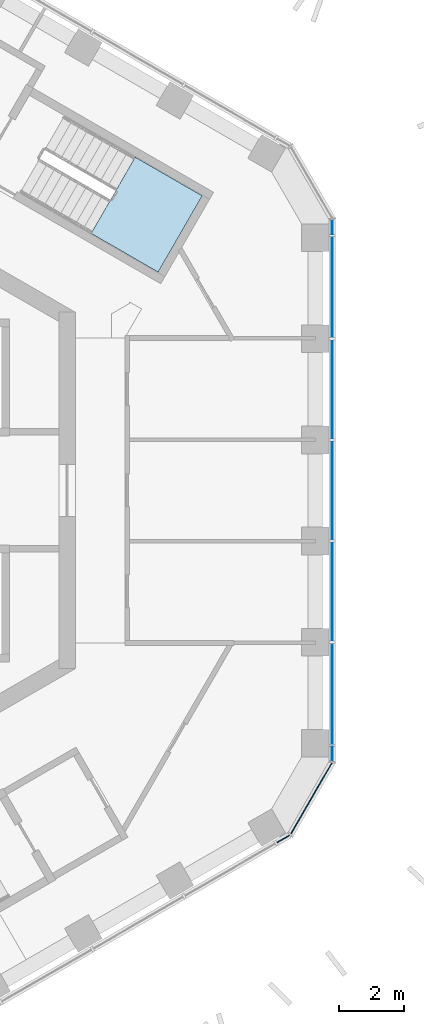
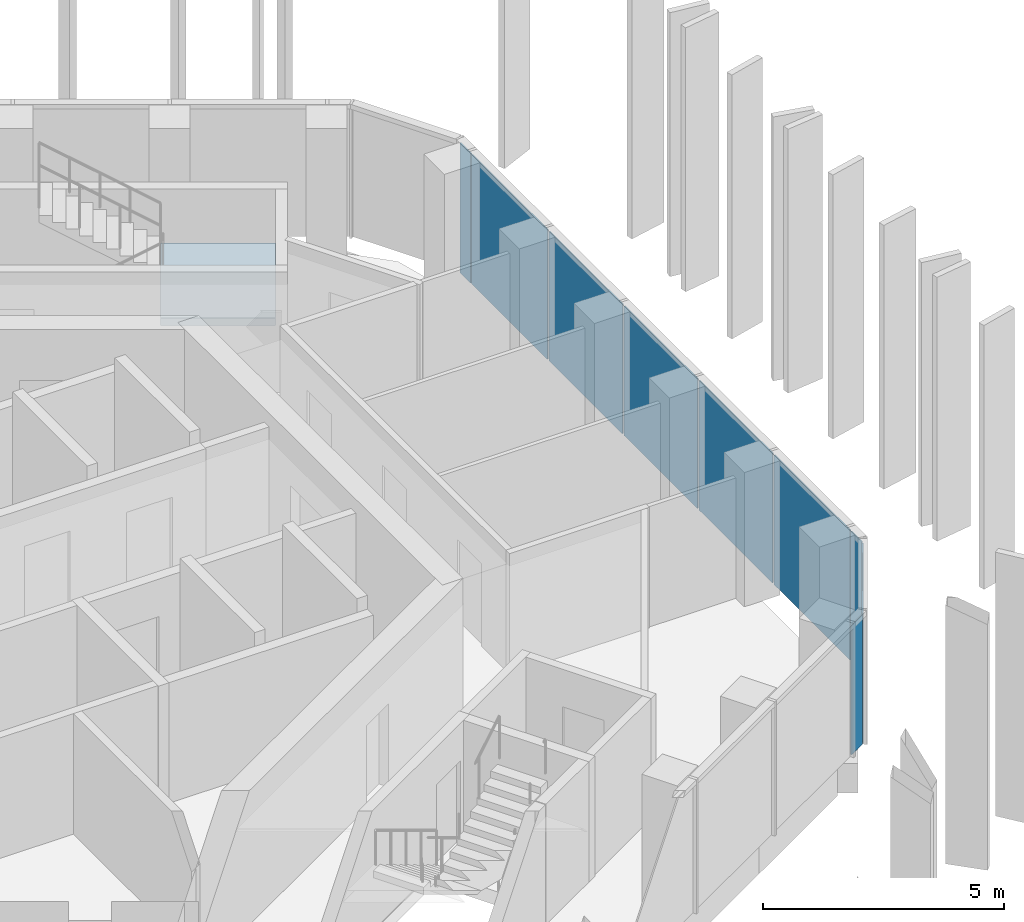
# One storey, part 10 of 18: 9 plates, 1 slab, 4 elements without a shape of their own.
"""IFC4 building model written with IfcOpenShell, lengths in metres."""

from ifc_helpers import new_model, si_unit, direction, frame, origin, origin_2d, place, context, subcontext, project, spatial, polyline, rectangle, outline, extrude, material, layer, layer_set, type_object, element, aggregate, save


model = new_model("IFC4")

# Units and contexts
model_context = context("Model", 3, precision=1e-05, world=origin(), true_north=direction((0.0, 1.0)))
body_context = subcontext(model_context, "Body", "Model", "MODEL_VIEW")
ifc_project = project(units=[si_unit("LENGTHUNIT", "METRE"), si_unit("AREAUNIT", "SQUARE_METRE"), si_unit("VOLUMEUNIT", "CUBIC_METRE"), si_unit("PLANEANGLEUNIT", "RADIAN"), si_unit("MASSUNIT", "GRAM", prefix="KILO")], contexts=[model_context])

# Site, building, storey
site_placement = place(None, origin())
site = spatial("IfcSite", under=ifc_project, at=site_placement, CompositionType="ELEMENT")
building_placement = place(site_placement, origin())
building = spatial("IfcBuilding", under=site, at=building_placement, Name="Ayvan Gate Tower", CompositionType="ELEMENT")
storey_placement = place(building_placement, frame((0.0, 0.0, 229.10009765625)))
storey = spatial("IfcBuildingStorey", under=building, at=storey_placement, Name="L61", CompositionType="ELEMENT", Elevation=229.10009765625)

# Stair, slab
ifc_material_1 = material(Name="Concrete C40/50", Category="concrete")
stair_type = type_object("IfcStairType", Name="ST-EXIT", PredefinedType="HALF_TURN_STAIR", material=ifc_material_1)
stair_placement = place(storey_placement, origin())
stair = element("IfcStair", 1, at=stair_placement, inside=storey, type_object=stair_type, Name="L61 Exit Stair S1", PredefinedType="HALF_TURN_STAIR")
ifc_layer_1 = layer(ifc_material_1, 0.199951171875)
ifc_layer_set_1 = layer_set([ifc_layer_1], Name="Concrete C40/50")
slab_type = type_object("IfcSlabType", Name="SL-LANDING-200", PredefinedType="LANDING", material=ifc_layer_set_1)
slab_placement = place(storey_placement, frame((0.0, 0.0, 1.5)))
slab = element("IfcSlab", 2, at=slab_placement, type_object=slab_type, Name="STS1 landing 1", PredefinedType="LANDING", context=body_context, shape_type="SweptSolid", body=[
    extrude(outline(polyline([(9.988525390625, 7.91064453125), (12.049560546875, 6.720458984375), (13.404541015625, 9.0673828125), (11.343505859375, 10.257568359375), (9.988525390625, 7.91064453125)])), origin(), (0.0, 0.0, 1.0), 0.199951171875),
])
aggregate(stair, [slab])

# Curtain wall, plates
ifc_material_2 = material(Name="Bronze anodised aluminium", Category="aluminium")
ifc_layer_2 = layer(ifc_material_2, 0.199951171875)
ifc_layer_set_2 = layer_set([ifc_layer_2], Name="Bronze anodised aluminium")
curtain_wall_type_1 = type_object("IfcCurtainWallType", Name="Stick curtain wall CW-2", PredefinedType="NOTDEFINED", material=ifc_layer_set_2)
curtain_wall_1_placement = place(storey_placement, origin())
curtain_wall_1 = element("IfcCurtainWall", 3, at=curtain_wall_1_placement, inside=storey, type_object=curtain_wall_type_1, Name="Stick curtain wall CW-2 L61", PredefinedType="NOTDEFINED")
ifc_material_3 = material(Name="Clear low-iron laminated glass", Category="glass")
ifc_layer_3 = layer(ifc_material_3, 0.028076171875)
ifc_layer_set_3 = layer_set([ifc_layer_3], Name="Clear low-iron laminated glass")
plate_type_1 = type_object("IfcPlateType", Name="Stick curtain wall CW-2 glass panel", PredefinedType="CURTAIN_PANEL", material=ifc_layer_set_3)
plate_1_placement = place(storey_placement, frame((17.41259765625, -6.27392578125, 0.0), z_axis=(0.0, 0.0, 1.0), x_axis=(0.0, 1.0, 0.0)))
plate_1 = element("IfcPlate", 4, at=plate_1_placement, type_object=plate_type_1, Name="CW-2 glass panel 1", PredefinedType="CURTAIN_PANEL", context=body_context, shape_type="SweptSolid", body=[
    extrude(rectangle(XDim=3.14501953125, YDim=0.028076171875, at=origin_2d()), origin(), (0.0, 0.0, 1.0), 3.280029296875),
])
plate_2_placement = place(storey_placement, frame((17.41259765625, -3.111083984375, 0.0), z_axis=(0.0, 0.0, 1.0), x_axis=(0.0, 1.0, 0.0)))
plate_2 = element("IfcPlate", 5, at=plate_2_placement, type_object=plate_type_1, Name="CW-2 glass panel 2", PredefinedType="CURTAIN_PANEL", context=body_context, shape_type="SweptSolid", body=[
    extrude(rectangle(XDim=3.041015625, YDim=0.028076171875, at=origin_2d()), origin(), (0.0, 0.0, 1.0), 3.280029296875),
])
plate_3_placement = place(storey_placement, frame((17.41259765625, 0.0, 0.0), z_axis=(0.0, 0.0, 1.0), x_axis=(0.0, 1.0, 0.0)))
plate_3 = element("IfcPlate", 6, at=plate_3_placement, type_object=plate_type_1, Name="CW-2 glass panel 3", PredefinedType="CURTAIN_PANEL", context=body_context, shape_type="SweptSolid", body=[
    extrude(rectangle(XDim=3.041015625, YDim=0.028076171875, at=origin_2d()), origin(), (0.0, 0.0, 1.0), 3.280029296875),
])
plate_4_placement = place(storey_placement, frame((17.41259765625, 3.111083984375, 0.0), z_axis=(0.0, 0.0, 1.0), x_axis=(0.0, 1.0, 0.0)))
plate_4 = element("IfcPlate", 7, at=plate_4_placement, type_object=plate_type_1, Name="CW-2 glass panel 4", PredefinedType="CURTAIN_PANEL", context=body_context, shape_type="SweptSolid", body=[
    extrude(rectangle(XDim=3.041015625, YDim=0.028076171875, at=origin_2d()), origin(), (0.0, 0.0, 1.0), 3.280029296875),
])
plate_5_placement = place(storey_placement, frame((17.41259765625, 6.27392578125, 0.0), z_axis=(0.0, 0.0, 1.0), x_axis=(0.0, 1.0, 0.0)))
plate_5 = element("IfcPlate", 8, at=plate_5_placement, type_object=plate_type_1, Name="CW-2 glass panel 5", PredefinedType="CURTAIN_PANEL", context=body_context, shape_type="SweptSolid", body=[
    extrude(rectangle(XDim=3.14501953125, YDim=0.028076171875, at=origin_2d()), origin(), (0.0, 0.0, 1.0), 3.280029296875),
])
aggregate(curtain_wall_1, [plate_1, plate_2, plate_3, plate_4, plate_5])

ifc_layer_4 = layer(ifc_material_2, 0.199951171875)
ifc_layer_set_4 = layer_set([ifc_layer_4], Name="Bronze anodised aluminium")
curtain_wall_type_2 = type_object("IfcCurtainWallType", Name="Stick curtain wall CW-6", PredefinedType="NOTDEFINED", material=ifc_layer_set_4)
curtain_wall_2_placement = place(storey_placement, origin())
curtain_wall_2 = element("IfcCurtainWall", 9, at=curtain_wall_2_placement, inside=storey, type_object=curtain_wall_type_2, Name="Stick curtain wall CW-6 L61", PredefinedType="NOTDEFINED")
ifc_layer_5 = layer(ifc_material_3, 0.028076171875)
ifc_layer_set_5 = layer_set([ifc_layer_5], Name="Clear low-iron laminated glass")
plate_type_2 = type_object("IfcPlateType", Name="Stick curtain wall CW-6 glass panel", PredefinedType="CURTAIN_PANEL", material=ifc_layer_set_5)
plate_6_placement = place(storey_placement, frame((15.90478515625, -10.718017578125, 0.0), z_axis=(0.0, 0.0, 1.0), x_axis=(0.866025403784, 0.5, 0.0)))
plate_6 = element("IfcPlate", 10, at=plate_6_placement, type_object=plate_type_2, Name="CW-6 glass panel 1", PredefinedType="CURTAIN_PANEL", context=body_context, shape_type="SweptSolid", body=[
    extrude(rectangle(XDim=0.449951171875, YDim=0.028076171875, at=origin_2d()), origin(), (0.0, 0.0, 1.0), 3.280029296875),
])
plate_7_placement = place(storey_placement, frame((16.766845703125, -9.474853515625, 0.0), z_axis=(0.0, 0.0, 1.0), x_axis=(0.5, 0.866025403784, 0.0)))
plate_7 = element("IfcPlate", 11, at=plate_7_placement, type_object=plate_type_2, Name="CW-6 glass panel 2", PredefinedType="CURTAIN_PANEL", context=body_context, shape_type="SweptSolid", body=[
    extrude(rectangle(XDim=2.532470703125, YDim=0.028076171875, at=origin_2d()), origin(), (0.0, 0.0, 1.0), 3.280029296875),
])
plate_8_placement = place(storey_placement, frame((17.41259765625, -8.1064453125, 0.0), z_axis=(0.0, 0.0, 1.0), x_axis=(0.0, 1.0, 0.0)))
plate_8 = element("IfcPlate", 12, at=plate_8_placement, type_object=plate_type_2, Name="CW-6 glass panel 3", PredefinedType="CURTAIN_PANEL", context=body_context, shape_type="SweptSolid", body=[
    extrude(rectangle(XDim=0.449951171875, YDim=0.028076171875, at=origin_2d()), origin(), (0.0, 0.0, 1.0), 3.280029296875),
])
aggregate(curtain_wall_2, [plate_6, plate_7, plate_8])

# Curtain wall, plate
curtain_wall_3_placement = place(storey_placement, origin())
curtain_wall_3 = element("IfcCurtainWall", 13, at=curtain_wall_3_placement, inside=storey, type_object=curtain_wall_type_2, Name="Stick curtain wall CW-6 L61", PredefinedType="NOTDEFINED")
plate_9_placement = place(storey_placement, frame((17.41259765625, 8.1064453125, 0.0), z_axis=(0.0, 0.0, 1.0), x_axis=(0.0, 1.0, 0.0)))
plate_9 = element("IfcPlate", 14, at=plate_9_placement, type_object=plate_type_2, Name="CW-6 glass panel 1", PredefinedType="CURTAIN_PANEL", context=body_context, shape_type="SweptSolid", body=[
    extrude(rectangle(XDim=0.449951171875, YDim=0.028076171875, at=origin_2d()), origin(), (0.0, 0.0, 1.0), 3.280029296875),
])
aggregate(curtain_wall_3, [plate_9])

save(model, "model.ifc")
